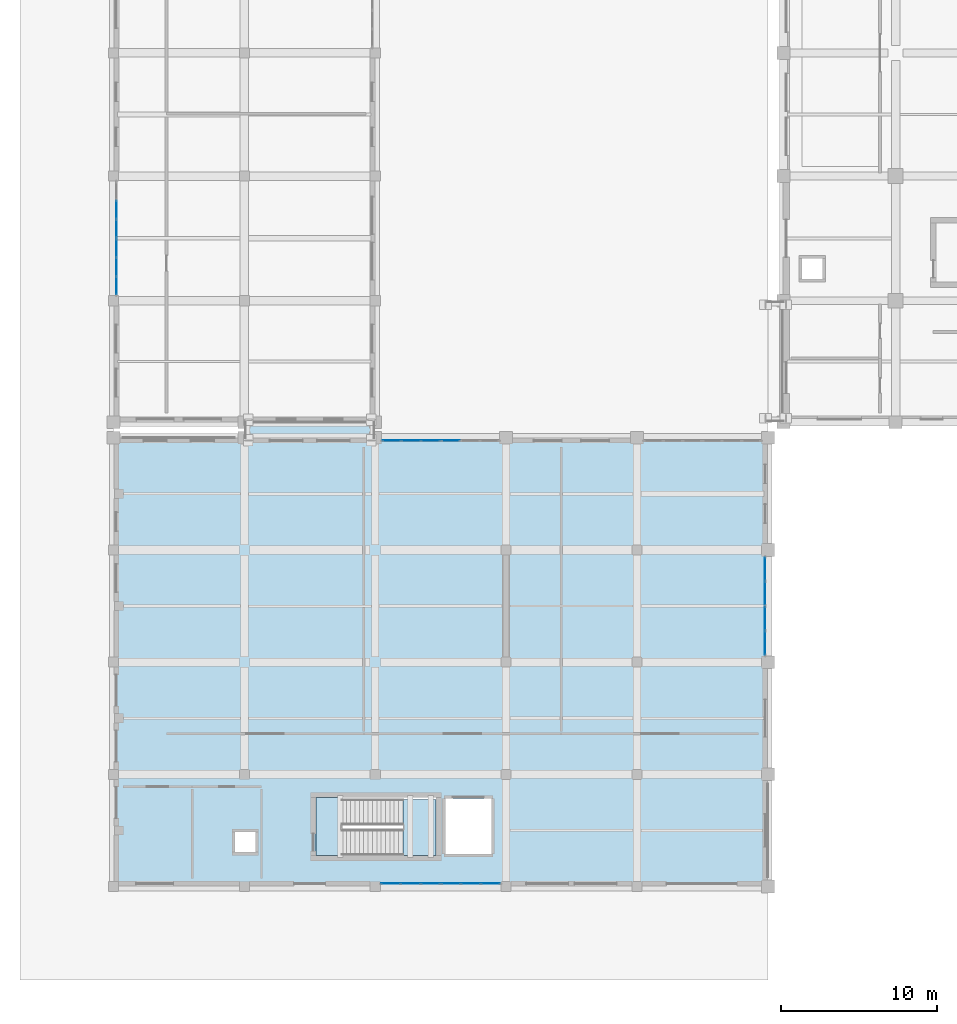
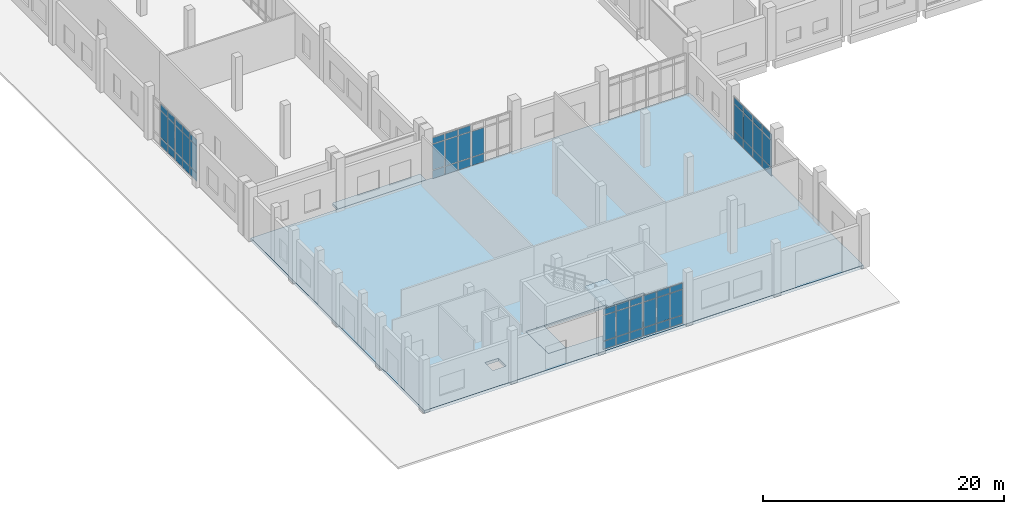
# One storey, part 39 of 79: 56 plates, 4 slabs, 9 elements without a shape of their own.
"""IFC4 building model written with IfcOpenShell, lengths in metres."""

from ifc_helpers import new_model, si_unit, direction, frame, origin, origin_2d, place, context, subcontext, project, spatial, polyline, rectangle, outline, extrude, material, layer, layer_set, type_object, element, aggregate, save


model = new_model("IFC4")

# Units and contexts
model_context = context("Model", 3, precision=1e-05, world=origin(), true_north=direction((0.0, 1.0)))
body_context = subcontext(model_context, "Body", "Model", "MODEL_VIEW")
ifc_project = project(units=[si_unit("LENGTHUNIT", "METRE"), si_unit("AREAUNIT", "SQUARE_METRE"), si_unit("VOLUMEUNIT", "CUBIC_METRE"), si_unit("PLANEANGLEUNIT", "RADIAN"), si_unit("MASSUNIT", "GRAM", prefix="KILO")], contexts=[model_context])

# Site, building, storey
site_placement = place(None, origin())
site = spatial("IfcSite", under=ifc_project, at=site_placement, CompositionType="ELEMENT")
building_placement = place(site_placement, origin())
building = spatial("IfcBuilding", under=site, at=building_placement, Name="Kelarvand Opera House", CompositionType="ELEMENT")
storey_placement = place(building_placement, origin())
storey = spatial("IfcBuildingStorey", under=building, at=storey_placement, Name="L00", CompositionType="ELEMENT", Elevation=0.0)

# Slab
ifc_material_1 = material(Name="Concrete C35/45", Category="concrete")
ifc_layer_1 = layer(ifc_material_1, 0.219970703125, Name="Concrete C35/45", Category="concrete")
ifc_layer_set_1 = layer_set([ifc_layer_1], Name="Concrete C35/45")
slab_type_1 = type_object("IfcSlabType", Name="Core Stair Entry Landing Slab 220", PredefinedType="LANDING", material=ifc_layer_set_1)
slab_1_placement = place(storey_placement, frame((0.0, 0.0, -0.219970703125)))
element("IfcSlab", 1, at=slab_1_placement, inside=storey, type_object=slab_type_1, Name="C6 Stair Entry Landing L00", PredefinedType="LANDING", context=body_context, shape_type="SweptSolid", body=[
    extrude(outline(polyline([(22.0, 11.0), (23.719970703125, 11.0), (23.719970703125, 14.699951171875), (22.0, 14.699951171875), (22.0, 11.0)])), origin(), (0.0, 0.0, 1.0), 0.219970703125),
])

# Curtain wall, plates
ifc_material_2 = material(Name="Thermally broken aluminium and low-E glazing", Category="aluminium")
ifc_layer_2 = layer(ifc_material_2, 0.179931640625, Name="Thermally broken aluminium and low-E glazing", Category="aluminium")
ifc_layer_set_2 = layer_set([ifc_layer_2], Name="Thermally broken aluminium and low-E glazing")
curtain_wall_type_1 = type_object("IfcCurtainWallType", Name="Unitised Low-E Curtain Wall 3776x4250 Mod 1350 CWF-23", PredefinedType="USERDEFINED", material=ifc_layer_set_2)
curtain_wall_1_placement = place(storey_placement, origin())
curtain_wall_1 = element("IfcCurtainWall", 2, at=curtain_wall_1_placement, inside=storey, type_object=curtain_wall_type_1, Name="V4 L00 Curtain Wall CWF-23 (107)", ObjectType="UNITISED CURTAIN WALL", PredefinedType="USERDEFINED")
ifc_material_3 = material(Name="Low-E laminated double glazing", Category="glass")
ifc_layer_3 = layer(ifc_material_3, 0.031982421875, Name="Low-E laminated double glazing", Category="glass")
ifc_layer_set_3 = layer_set([ifc_layer_3], Name="Low-E laminated double glazing")
plate_type = type_object("IfcPlateType", Name="Low-E Argon Double Glazed Curtain Panel 32mm", PredefinedType="CURTAIN_PANEL", material=ifc_layer_set_3)
plate_1_placement = place(storey_placement, frame((26.865478515625, 37.6201171875, 0.06494140625), z_axis=(0.0, 0.0, 1.0), x_axis=(1.0, 0.0, 0.0)))
plate_1 = element("IfcPlate", 3, at=plate_1_placement, type_object=plate_type, Name="CWF-23 panel 1.1", PredefinedType="CURTAIN_PANEL", context=body_context, shape_type="SweptSolid", body=[
    extrude(rectangle(XDim=1.1611328125, YDim=0.031982421875, at=origin_2d()), origin(), (0.0, 0.0, 1.0), 0.802490234375),
])
plate_2_placement = place(storey_placement, frame((26.865478515625, 37.6201171875, 0.9326171875), z_axis=(0.0, 0.0, 1.0), x_axis=(1.0, 0.0, 0.0)))
plate_2 = element("IfcPlate", 4, at=plate_2_placement, type_object=plate_type, Name="CWF-23 panel 1.2", PredefinedType="CURTAIN_PANEL", context=body_context, shape_type="SweptSolid", body=[
    extrude(rectangle(XDim=1.1611328125, YDim=0.031982421875, at=origin_2d()), origin(), (0.0, 0.0, 1.0), 2.5849609375),
])
plate_3_placement = place(storey_placement, frame((26.865478515625, 37.6201171875, 3.58251953125), z_axis=(0.0, 0.0, 1.0), x_axis=(1.0, 0.0, 0.0)))
plate_3 = element("IfcPlate", 5, at=plate_3_placement, type_object=plate_type, Name="CWF-23 panel 1.3", PredefinedType="CURTAIN_PANEL", context=body_context, shape_type="SweptSolid", body=[
    extrude(rectangle(XDim=1.1611328125, YDim=0.031982421875, at=origin_2d()), origin(), (0.0, 0.0, 1.0), 0.6025390625),
])
plate_4_placement = place(storey_placement, frame((28.10791015625, 37.6201171875, 0.06494140625), z_axis=(0.0, 0.0, 1.0), x_axis=(1.0, 0.0, 0.0)))
plate_4 = element("IfcPlate", 6, at=plate_4_placement, type_object=plate_type, Name="CWF-23 panel 2.1", PredefinedType="CURTAIN_PANEL", context=body_context, shape_type="SweptSolid", body=[
    extrude(rectangle(XDim=1.193603515625, YDim=0.031982421875, at=origin_2d()), origin(), (0.0, 0.0, 1.0), 0.802490234375),
])
plate_5_placement = place(storey_placement, frame((28.10791015625, 37.6201171875, 0.9326171875), z_axis=(0.0, 0.0, 1.0), x_axis=(1.0, 0.0, 0.0)))
plate_5 = element("IfcPlate", 7, at=plate_5_placement, type_object=plate_type, Name="CWF-23 panel 2.2", PredefinedType="CURTAIN_PANEL", context=body_context, shape_type="SweptSolid", body=[
    extrude(rectangle(XDim=1.193603515625, YDim=0.031982421875, at=origin_2d()), origin(), (0.0, 0.0, 1.0), 2.5849609375),
])
plate_6_placement = place(storey_placement, frame((28.10791015625, 37.6201171875, 3.58251953125), z_axis=(0.0, 0.0, 1.0), x_axis=(1.0, 0.0, 0.0)))
plate_6 = element("IfcPlate", 8, at=plate_6_placement, type_object=plate_type, Name="CWF-23 panel 2.3", PredefinedType="CURTAIN_PANEL", context=body_context, shape_type="SweptSolid", body=[
    extrude(rectangle(XDim=1.193603515625, YDim=0.031982421875, at=origin_2d()), origin(), (0.0, 0.0, 1.0), 0.6025390625),
])
plate_7_placement = place(storey_placement, frame((29.350341796875, 37.6201171875, 0.06494140625), z_axis=(0.0, 0.0, 1.0), x_axis=(1.0, 0.0, 0.0)))
plate_7 = element("IfcPlate", 9, at=plate_7_placement, type_object=plate_type, Name="CWF-23 panel 3.1", PredefinedType="CURTAIN_PANEL", context=body_context, shape_type="SweptSolid", body=[
    extrude(rectangle(XDim=1.1611328125, YDim=0.031982421875, at=origin_2d()), origin(), (0.0, 0.0, 1.0), 0.802490234375),
])
plate_8_placement = place(storey_placement, frame((29.350341796875, 37.6201171875, 0.9326171875), z_axis=(0.0, 0.0, 1.0), x_axis=(1.0, 0.0, 0.0)))
plate_8 = element("IfcPlate", 10, at=plate_8_placement, type_object=plate_type, Name="CWF-23 panel 3.2", PredefinedType="CURTAIN_PANEL", context=body_context, shape_type="SweptSolid", body=[
    extrude(rectangle(XDim=1.1611328125, YDim=0.031982421875, at=origin_2d()), origin(), (0.0, 0.0, 1.0), 2.5849609375),
])
plate_9_placement = place(storey_placement, frame((29.350341796875, 37.6201171875, 3.58251953125), z_axis=(0.0, 0.0, 1.0), x_axis=(1.0, 0.0, 0.0)))
plate_9 = element("IfcPlate", 11, at=plate_9_placement, type_object=plate_type, Name="CWF-23 panel 3.3", PredefinedType="CURTAIN_PANEL", context=body_context, shape_type="SweptSolid", body=[
    extrude(rectangle(XDim=1.1611328125, YDim=0.031982421875, at=origin_2d()), origin(), (0.0, 0.0, 1.0), 0.6025390625),
])
aggregate(curtain_wall_1, [plate_1, plate_2, plate_3, plate_4, plate_5, plate_6, plate_7, plate_8, plate_9])

curtain_wall_2_placement = place(storey_placement, origin())
curtain_wall_2 = element("IfcCurtainWall", 12, at=curtain_wall_2_placement, inside=storey, type_object=curtain_wall_type_1, Name="V4 L00 Curtain Wall CWF-23 (108)", ObjectType="UNITISED CURTAIN WALL", PredefinedType="USERDEFINED")
plate_10_placement = place(storey_placement, frame((30.646240234375, 37.6201171875, 0.06494140625), z_axis=(0.0, 0.0, 1.0), x_axis=(1.0, 0.0, 0.0)))
plate_10 = element("IfcPlate", 13, at=plate_10_placement, type_object=plate_type, Name="CWF-23 panel 1.1", PredefinedType="CURTAIN_PANEL", context=body_context, shape_type="SweptSolid", body=[
    extrude(rectangle(XDim=1.16259765625, YDim=0.031982421875, at=origin_2d()), origin(), (0.0, 0.0, 1.0), 0.802490234375),
])
plate_11_placement = place(storey_placement, frame((30.646240234375, 37.6201171875, 0.9326171875), z_axis=(0.0, 0.0, 1.0), x_axis=(1.0, 0.0, 0.0)))
plate_11 = element("IfcPlate", 14, at=plate_11_placement, type_object=plate_type, Name="CWF-23 panel 1.2", PredefinedType="CURTAIN_PANEL", context=body_context, shape_type="SweptSolid", body=[
    extrude(rectangle(XDim=1.16259765625, YDim=0.031982421875, at=origin_2d()), origin(), (0.0, 0.0, 1.0), 2.5849609375),
])
aggregate(curtain_wall_2, [plate_10, plate_11])

ifc_layer_4 = layer(ifc_material_2, 0.179931640625, Name="Thermally broken aluminium and low-E glazing", Category="aluminium")
ifc_layer_set_4 = layer_set([ifc_layer_4], Name="Thermally broken aluminium and low-E glazing")
curtain_wall_type_2 = type_object("IfcCurtainWallType", Name="Unitised Low-E Curtain Wall 3176x4350 Mod 1350 CWF-09", PredefinedType="USERDEFINED", material=ifc_layer_set_4)
curtain_wall_3_placement = place(storey_placement, origin())
curtain_wall_3 = element("IfcCurtainWall", 15, at=curtain_wall_3_placement, inside=storey, type_object=curtain_wall_type_2, Name="V4 L00 Curtain Wall CWF-09 (111)", ObjectType="UNITISED CURTAIN WALL", PredefinedType="USERDEFINED")
plate_12_placement = place(storey_placement, frame((50.820068359375, 29.36962890625, 0.06494140625), z_axis=(0.0, 0.0, 1.0), x_axis=(0.0, -1.0, 0.0)))
plate_12 = element("IfcPlate", 16, at=plate_12_placement, type_object=plate_type, Name="CWF-09 panel 1.1", PredefinedType="CURTAIN_PANEL", context=body_context, shape_type="SweptSolid", body=[
    extrude(rectangle(XDim=1.490478515625, YDim=0.031982421875, at=origin_2d()), origin(), (0.0, 0.0, 1.0), 0.802490234375),
])
plate_13_placement = place(storey_placement, frame((50.820068359375, 29.36962890625, 0.932373046875), z_axis=(0.0, 0.0, 1.0), x_axis=(0.0, -1.0, 0.0)))
plate_13 = element("IfcPlate", 17, at=plate_13_placement, type_object=plate_type, Name="CWF-09 panel 1.2", PredefinedType="CURTAIN_PANEL", context=body_context, shape_type="SweptSolid", body=[
    extrude(rectangle(XDim=1.490478515625, YDim=0.031982421875, at=origin_2d()), origin(), (0.0, 0.0, 1.0), 2.68505859375),
])
plate_14_placement = place(storey_placement, frame((50.820068359375, 29.36962890625, 3.682373046875), z_axis=(0.0, 0.0, 1.0), x_axis=(0.0, -1.0, 0.0)))
plate_14 = element("IfcPlate", 18, at=plate_14_placement, type_object=plate_type, Name="CWF-09 panel 1.3", PredefinedType="CURTAIN_PANEL", context=body_context, shape_type="SweptSolid", body=[
    extrude(rectangle(XDim=1.490478515625, YDim=0.031982421875, at=origin_2d()), origin(), (0.0, 0.0, 1.0), 0.6025390625),
])
plate_15_placement = place(storey_placement, frame((50.820068359375, 27.814208984375, 0.06494140625), z_axis=(0.0, 0.0, 1.0), x_axis=(0.0, -1.0, 0.0)))
plate_15 = element("IfcPlate", 19, at=plate_15_placement, type_object=plate_type, Name="CWF-09 panel 2.1", PredefinedType="CURTAIN_PANEL", context=body_context, shape_type="SweptSolid", body=[
    extrude(rectangle(XDim=1.490478515625, YDim=0.031982421875, at=origin_2d()), origin(), (0.0, 0.0, 1.0), 0.802490234375),
])
plate_16_placement = place(storey_placement, frame((50.820068359375, 27.814208984375, 0.932373046875), z_axis=(0.0, 0.0, 1.0), x_axis=(0.0, -1.0, 0.0)))
plate_16 = element("IfcPlate", 20, at=plate_16_placement, type_object=plate_type, Name="CWF-09 panel 2.2", PredefinedType="CURTAIN_PANEL", context=body_context, shape_type="SweptSolid", body=[
    extrude(rectangle(XDim=1.490478515625, YDim=0.031982421875, at=origin_2d()), origin(), (0.0, 0.0, 1.0), 2.68505859375),
])
plate_17_placement = place(storey_placement, frame((50.820068359375, 27.814208984375, 3.682373046875), z_axis=(0.0, 0.0, 1.0), x_axis=(0.0, -1.0, 0.0)))
plate_17 = element("IfcPlate", 21, at=plate_17_placement, type_object=plate_type, Name="CWF-09 panel 2.3", PredefinedType="CURTAIN_PANEL", context=body_context, shape_type="SweptSolid", body=[
    extrude(rectangle(XDim=1.490478515625, YDim=0.031982421875, at=origin_2d()), origin(), (0.0, 0.0, 1.0), 0.6025390625),
])
aggregate(curtain_wall_3, [plate_12, plate_13, plate_14, plate_15, plate_16, plate_17])

curtain_wall_4_placement = place(storey_placement, origin())
curtain_wall_4 = element("IfcCurtainWall", 22, at=curtain_wall_4_placement, inside=storey, type_object=curtain_wall_type_2, Name="V4 L00 Curtain Wall CWF-09 (112)", ObjectType="UNITISED CURTAIN WALL", PredefinedType="USERDEFINED")
plate_18_placement = place(storey_placement, frame((50.820068359375, 26.188720703125, 0.06494140625), z_axis=(0.0, 0.0, 1.0), x_axis=(0.0, -1.0, 0.0)))
plate_18 = element("IfcPlate", 23, at=plate_18_placement, type_object=plate_type, Name="CWF-09 panel 1.1", PredefinedType="CURTAIN_PANEL", context=body_context, shape_type="SweptSolid", body=[
    extrude(rectangle(XDim=1.492431640625, YDim=0.031982421875, at=origin_2d()), origin(), (0.0, 0.0, 1.0), 0.802490234375),
])
plate_19_placement = place(storey_placement, frame((50.820068359375, 26.188720703125, 0.932373046875), z_axis=(0.0, 0.0, 1.0), x_axis=(0.0, -1.0, 0.0)))
plate_19 = element("IfcPlate", 24, at=plate_19_placement, type_object=plate_type, Name="CWF-09 panel 1.2", PredefinedType="CURTAIN_PANEL", context=body_context, shape_type="SweptSolid", body=[
    extrude(rectangle(XDim=1.492431640625, YDim=0.031982421875, at=origin_2d()), origin(), (0.0, 0.0, 1.0), 2.68505859375),
])
plate_20_placement = place(storey_placement, frame((50.820068359375, 26.188720703125, 3.682373046875), z_axis=(0.0, 0.0, 1.0), x_axis=(0.0, -1.0, 0.0)))
plate_20 = element("IfcPlate", 25, at=plate_20_placement, type_object=plate_type, Name="CWF-09 panel 1.3", PredefinedType="CURTAIN_PANEL", context=body_context, shape_type="SweptSolid", body=[
    extrude(rectangle(XDim=1.492431640625, YDim=0.031982421875, at=origin_2d()), origin(), (0.0, 0.0, 1.0), 0.6025390625),
])
plate_21_placement = place(storey_placement, frame((50.820068359375, 24.63134765625, 0.06494140625), z_axis=(0.0, 0.0, 1.0), x_axis=(0.0, -1.0, 0.0)))
plate_21 = element("IfcPlate", 26, at=plate_21_placement, type_object=plate_type, Name="CWF-09 panel 2.1", PredefinedType="CURTAIN_PANEL", context=body_context, shape_type="SweptSolid", body=[
    extrude(rectangle(XDim=1.492431640625, YDim=0.031982421875, at=origin_2d()), origin(), (0.0, 0.0, 1.0), 0.802490234375),
])
plate_22_placement = place(storey_placement, frame((50.820068359375, 24.63134765625, 0.932373046875), z_axis=(0.0, 0.0, 1.0), x_axis=(0.0, -1.0, 0.0)))
plate_22 = element("IfcPlate", 27, at=plate_22_placement, type_object=plate_type, Name="CWF-09 panel 2.2", PredefinedType="CURTAIN_PANEL", context=body_context, shape_type="SweptSolid", body=[
    extrude(rectangle(XDim=1.492431640625, YDim=0.031982421875, at=origin_2d()), origin(), (0.0, 0.0, 1.0), 2.68505859375),
])
plate_23_placement = place(storey_placement, frame((50.820068359375, 24.63134765625, 3.682373046875), z_axis=(0.0, 0.0, 1.0), x_axis=(0.0, -1.0, 0.0)))
plate_23 = element("IfcPlate", 28, at=plate_23_placement, type_object=plate_type, Name="CWF-09 panel 2.3", PredefinedType="CURTAIN_PANEL", context=body_context, shape_type="SweptSolid", body=[
    extrude(rectangle(XDim=1.492431640625, YDim=0.031982421875, at=origin_2d()), origin(), (0.0, 0.0, 1.0), 0.6025390625),
])
aggregate(curtain_wall_4, [plate_18, plate_19, plate_20, plate_21, plate_22, plate_23])

ifc_layer_5 = layer(ifc_material_2, 0.179931640625, Name="Thermally broken aluminium and low-E glazing", Category="aluminium")
ifc_layer_set_5 = layer_set([ifc_layer_5], Name="Thermally broken aluminium and low-E glazing")
curtain_wall_type_3 = type_object("IfcCurtainWallType", Name="Unitised Low-E Curtain Wall 3861x4200 Mod 1350 CWF-12", PredefinedType="USERDEFINED", material=ifc_layer_set_5)
curtain_wall_5_placement = place(storey_placement, origin())
curtain_wall_5 = element("IfcCurtainWall", 29, at=curtain_wall_5_placement, inside=storey, type_object=curtain_wall_type_3, Name="V4 L00 Curtain Wall CWF-12 (113)", ObjectType="UNITISED CURTAIN WALL", PredefinedType="USERDEFINED")
plate_24_placement = place(storey_placement, frame((33.205322265625, 9.179931640625, 0.06494140625), z_axis=(0.0, 0.0, 1.0), x_axis=(-1.0, 0.0, 0.0)))
plate_24 = element("IfcPlate", 30, at=plate_24_placement, type_object=plate_type, Name="CWF-12 panel 1.1", PredefinedType="CURTAIN_PANEL", context=body_context, shape_type="SweptSolid", body=[
    extrude(rectangle(XDim=1.189453125, YDim=0.031982421875, at=origin_2d()), origin(), (0.0, 0.0, 1.0), 0.802490234375),
])
plate_25_placement = place(storey_placement, frame((33.205322265625, 9.179931640625, 0.9326171875), z_axis=(0.0, 0.0, 1.0), x_axis=(-1.0, 0.0, 0.0)))
plate_25 = element("IfcPlate", 31, at=plate_25_placement, type_object=plate_type, Name="CWF-12 panel 1.2", PredefinedType="CURTAIN_PANEL", context=body_context, shape_type="SweptSolid", body=[
    extrude(rectangle(XDim=1.189453125, YDim=0.031982421875, at=origin_2d()), origin(), (0.0, 0.0, 1.0), 2.534912109375),
])
plate_26_placement = place(storey_placement, frame((33.205322265625, 9.179931640625, 3.532470703125), z_axis=(0.0, 0.0, 1.0), x_axis=(-1.0, 0.0, 0.0)))
plate_26 = element("IfcPlate", 32, at=plate_26_placement, type_object=plate_type, Name="CWF-12 panel 1.3", PredefinedType="CURTAIN_PANEL", context=body_context, shape_type="SweptSolid", body=[
    extrude(rectangle(XDim=1.189453125, YDim=0.031982421875, at=origin_2d()), origin(), (0.0, 0.0, 1.0), 0.6025390625),
])
plate_27_placement = place(storey_placement, frame((31.9345703125, 9.179931640625, 0.06494140625), z_axis=(0.0, 0.0, 1.0), x_axis=(-1.0, 0.0, 0.0)))
plate_27 = element("IfcPlate", 33, at=plate_27_placement, type_object=plate_type, Name="CWF-12 panel 2.1", PredefinedType="CURTAIN_PANEL", context=body_context, shape_type="SweptSolid", body=[
    extrude(rectangle(XDim=1.221923828125, YDim=0.031982421875, at=origin_2d()), origin(), (0.0, 0.0, 1.0), 0.802490234375),
])
plate_28_placement = place(storey_placement, frame((31.9345703125, 9.179931640625, 0.9326171875), z_axis=(0.0, 0.0, 1.0), x_axis=(-1.0, 0.0, 0.0)))
plate_28 = element("IfcPlate", 34, at=plate_28_placement, type_object=plate_type, Name="CWF-12 panel 2.2", PredefinedType="CURTAIN_PANEL", context=body_context, shape_type="SweptSolid", body=[
    extrude(rectangle(XDim=1.221923828125, YDim=0.031982421875, at=origin_2d()), origin(), (0.0, 0.0, 1.0), 2.534912109375),
])
plate_29_placement = place(storey_placement, frame((31.9345703125, 9.179931640625, 3.532470703125), z_axis=(0.0, 0.0, 1.0), x_axis=(-1.0, 0.0, 0.0)))
plate_29 = element("IfcPlate", 35, at=plate_29_placement, type_object=plate_type, Name="CWF-12 panel 2.3", PredefinedType="CURTAIN_PANEL", context=body_context, shape_type="SweptSolid", body=[
    extrude(rectangle(XDim=1.221923828125, YDim=0.031982421875, at=origin_2d()), origin(), (0.0, 0.0, 1.0), 0.6025390625),
])
plate_30_placement = place(storey_placement, frame((30.663818359375, 9.179931640625, 0.06494140625), z_axis=(0.0, 0.0, 1.0), x_axis=(-1.0, 0.0, 0.0)))
plate_30 = element("IfcPlate", 36, at=plate_30_placement, type_object=plate_type, Name="CWF-12 panel 3.1", PredefinedType="CURTAIN_PANEL", context=body_context, shape_type="SweptSolid", body=[
    extrude(rectangle(XDim=1.189453125, YDim=0.031982421875, at=origin_2d()), origin(), (0.0, 0.0, 1.0), 0.802490234375),
])
plate_31_placement = place(storey_placement, frame((30.663818359375, 9.179931640625, 0.9326171875), z_axis=(0.0, 0.0, 1.0), x_axis=(-1.0, 0.0, 0.0)))
plate_31 = element("IfcPlate", 37, at=plate_31_placement, type_object=plate_type, Name="CWF-12 panel 3.2", PredefinedType="CURTAIN_PANEL", context=body_context, shape_type="SweptSolid", body=[
    extrude(rectangle(XDim=1.189453125, YDim=0.031982421875, at=origin_2d()), origin(), (0.0, 0.0, 1.0), 2.534912109375),
])
plate_32_placement = place(storey_placement, frame((30.663818359375, 9.179931640625, 3.532470703125), z_axis=(0.0, 0.0, 1.0), x_axis=(-1.0, 0.0, 0.0)))
plate_32 = element("IfcPlate", 38, at=plate_32_placement, type_object=plate_type, Name="CWF-12 panel 3.3", PredefinedType="CURTAIN_PANEL", context=body_context, shape_type="SweptSolid", body=[
    extrude(rectangle(XDim=1.189453125, YDim=0.031982421875, at=origin_2d()), origin(), (0.0, 0.0, 1.0), 0.6025390625),
])
aggregate(curtain_wall_5, [plate_24, plate_25, plate_26, plate_27, plate_28, plate_29, plate_30, plate_31, plate_32])

curtain_wall_6_placement = place(storey_placement, origin())
curtain_wall_6 = element("IfcCurtainWall", 39, at=curtain_wall_6_placement, inside=storey, type_object=curtain_wall_type_3, Name="V4 L00 Curtain Wall CWF-12 (114)", ObjectType="UNITISED CURTAIN WALL", PredefinedType="USERDEFINED")
plate_33_placement = place(storey_placement, frame((29.339599609375, 9.179931640625, 0.06494140625), z_axis=(0.0, 0.0, 1.0), x_axis=(-1.0, 0.0, 0.0)))
plate_33 = element("IfcPlate", 40, at=plate_33_placement, type_object=plate_type, Name="CWF-12 panel 1.1", PredefinedType="CURTAIN_PANEL", context=body_context, shape_type="SweptSolid", body=[
    extrude(rectangle(XDim=1.19091796875, YDim=0.031982421875, at=origin_2d()), origin(), (0.0, 0.0, 1.0), 0.802490234375),
])
plate_34_placement = place(storey_placement, frame((29.339599609375, 9.179931640625, 0.9326171875), z_axis=(0.0, 0.0, 1.0), x_axis=(-1.0, 0.0, 0.0)))
plate_34 = element("IfcPlate", 41, at=plate_34_placement, type_object=plate_type, Name="CWF-12 panel 1.2", PredefinedType="CURTAIN_PANEL", context=body_context, shape_type="SweptSolid", body=[
    extrude(rectangle(XDim=1.19091796875, YDim=0.031982421875, at=origin_2d()), origin(), (0.0, 0.0, 1.0), 2.534912109375),
])
plate_35_placement = place(storey_placement, frame((29.339599609375, 9.179931640625, 3.532470703125), z_axis=(0.0, 0.0, 1.0), x_axis=(-1.0, 0.0, 0.0)))
plate_35 = element("IfcPlate", 42, at=plate_35_placement, type_object=plate_type, Name="CWF-12 panel 1.3", PredefinedType="CURTAIN_PANEL", context=body_context, shape_type="SweptSolid", body=[
    extrude(rectangle(XDim=1.19091796875, YDim=0.031982421875, at=origin_2d()), origin(), (0.0, 0.0, 1.0), 0.6025390625),
])
plate_36_placement = place(storey_placement, frame((28.0673828125, 9.179931640625, 0.06494140625), z_axis=(0.0, 0.0, 1.0), x_axis=(-1.0, 0.0, 0.0)))
plate_36 = element("IfcPlate", 43, at=plate_36_placement, type_object=plate_type, Name="CWF-12 panel 2.1", PredefinedType="CURTAIN_PANEL", context=body_context, shape_type="SweptSolid", body=[
    extrude(rectangle(XDim=1.223388671875, YDim=0.031982421875, at=origin_2d()), origin(), (0.0, 0.0, 1.0), 0.802490234375),
])
plate_37_placement = place(storey_placement, frame((28.0673828125, 9.179931640625, 0.9326171875), z_axis=(0.0, 0.0, 1.0), x_axis=(-1.0, 0.0, 0.0)))
plate_37 = element("IfcPlate", 44, at=plate_37_placement, type_object=plate_type, Name="CWF-12 panel 2.2", PredefinedType="CURTAIN_PANEL", context=body_context, shape_type="SweptSolid", body=[
    extrude(rectangle(XDim=1.223388671875, YDim=0.031982421875, at=origin_2d()), origin(), (0.0, 0.0, 1.0), 2.534912109375),
])
plate_38_placement = place(storey_placement, frame((28.0673828125, 9.179931640625, 3.532470703125), z_axis=(0.0, 0.0, 1.0), x_axis=(-1.0, 0.0, 0.0)))
plate_38 = element("IfcPlate", 45, at=plate_38_placement, type_object=plate_type, Name="CWF-12 panel 2.3", PredefinedType="CURTAIN_PANEL", context=body_context, shape_type="SweptSolid", body=[
    extrude(rectangle(XDim=1.223388671875, YDim=0.031982421875, at=origin_2d()), origin(), (0.0, 0.0, 1.0), 0.6025390625),
])
plate_39_placement = place(storey_placement, frame((26.79541015625, 9.179931640625, 0.06494140625), z_axis=(0.0, 0.0, 1.0), x_axis=(-1.0, 0.0, 0.0)))
plate_39 = element("IfcPlate", 46, at=plate_39_placement, type_object=plate_type, Name="CWF-12 panel 3.1", PredefinedType="CURTAIN_PANEL", context=body_context, shape_type="SweptSolid", body=[
    extrude(rectangle(XDim=1.19091796875, YDim=0.031982421875, at=origin_2d()), origin(), (0.0, 0.0, 1.0), 0.802490234375),
])
plate_40_placement = place(storey_placement, frame((26.79541015625, 9.179931640625, 0.9326171875), z_axis=(0.0, 0.0, 1.0), x_axis=(-1.0, 0.0, 0.0)))
plate_40 = element("IfcPlate", 47, at=plate_40_placement, type_object=plate_type, Name="CWF-12 panel 3.2", PredefinedType="CURTAIN_PANEL", context=body_context, shape_type="SweptSolid", body=[
    extrude(rectangle(XDim=1.19091796875, YDim=0.031982421875, at=origin_2d()), origin(), (0.0, 0.0, 1.0), 2.534912109375),
])
plate_41_placement = place(storey_placement, frame((26.79541015625, 9.179931640625, 3.532470703125), z_axis=(0.0, 0.0, 1.0), x_axis=(-1.0, 0.0, 0.0)))
plate_41 = element("IfcPlate", 48, at=plate_41_placement, type_object=plate_type, Name="CWF-12 panel 3.3", PredefinedType="CURTAIN_PANEL", context=body_context, shape_type="SweptSolid", body=[
    extrude(rectangle(XDim=1.19091796875, YDim=0.031982421875, at=origin_2d()), origin(), (0.0, 0.0, 1.0), 0.6025390625),
])
aggregate(curtain_wall_6, [plate_33, plate_34, plate_35, plate_36, plate_37, plate_38, plate_39, plate_40, plate_41])

ifc_layer_6 = layer(ifc_material_2, 0.179931640625, Name="Thermally broken aluminium and low-E glazing", Category="aluminium")
ifc_layer_set_6 = layer_set([ifc_layer_6], Name="Thermally broken aluminium and low-E glazing")
curtain_wall_type_4 = type_object("IfcCurtainWallType", Name="Unitised Low-E Curtain Wall 3661x4350 Mod 1350 CWF-24", PredefinedType="USERDEFINED", material=ifc_layer_set_6)
curtain_wall_7_placement = place(storey_placement, origin())
curtain_wall_7 = element("IfcCurtainWall", 49, at=curtain_wall_7_placement, inside=storey, type_object=curtain_wall_type_4, Name="V4 L00 Curtain Wall CWF-24 (115)", ObjectType="UNITISED CURTAIN WALL", PredefinedType="USERDEFINED")
plate_42_placement = place(storey_placement, frame((9.179931640625, 47.5615234375, 0.06494140625), z_axis=(0.0, 0.0, 1.0), x_axis=(0.0, 1.0, 0.0)))
plate_42 = element("IfcPlate", 50, at=plate_42_placement, type_object=plate_type, Name="CWF-24 panel 1.1", PredefinedType="CURTAIN_PANEL", context=body_context, shape_type="SweptSolid", body=[
    extrude(rectangle(XDim=1.122802734375, YDim=0.031982421875, at=origin_2d()), origin(), (0.0, 0.0, 1.0), 0.802490234375),
])
plate_43_placement = place(storey_placement, frame((9.179931640625, 47.5615234375, 0.932373046875), z_axis=(0.0, 0.0, 1.0), x_axis=(0.0, 1.0, 0.0)))
plate_43 = element("IfcPlate", 51, at=plate_43_placement, type_object=plate_type, Name="CWF-24 panel 1.2", PredefinedType="CURTAIN_PANEL", context=body_context, shape_type="SweptSolid", body=[
    extrude(rectangle(XDim=1.122802734375, YDim=0.031982421875, at=origin_2d()), origin(), (0.0, 0.0, 1.0), 2.68505859375),
])
plate_44_placement = place(storey_placement, frame((9.179931640625, 47.5615234375, 3.682373046875), z_axis=(0.0, 0.0, 1.0), x_axis=(0.0, 1.0, 0.0)))
plate_44 = element("IfcPlate", 52, at=plate_44_placement, type_object=plate_type, Name="CWF-24 panel 1.3", PredefinedType="CURTAIN_PANEL", context=body_context, shape_type="SweptSolid", body=[
    extrude(rectangle(XDim=1.122802734375, YDim=0.031982421875, at=origin_2d()), origin(), (0.0, 0.0, 1.0), 0.6025390625),
])
plate_45_placement = place(storey_placement, frame((9.179931640625, 48.765380859375, 0.06494140625), z_axis=(0.0, 0.0, 1.0), x_axis=(0.0, 1.0, 0.0)))
plate_45 = element("IfcPlate", 53, at=plate_45_placement, type_object=plate_type, Name="CWF-24 panel 2.1", PredefinedType="CURTAIN_PANEL", context=body_context, shape_type="SweptSolid", body=[
    extrude(rectangle(XDim=1.1552734375, YDim=0.031982421875, at=origin_2d()), origin(), (0.0, 0.0, 1.0), 0.802490234375),
])
plate_46_placement = place(storey_placement, frame((9.179931640625, 48.765380859375, 0.932373046875), z_axis=(0.0, 0.0, 1.0), x_axis=(0.0, 1.0, 0.0)))
plate_46 = element("IfcPlate", 54, at=plate_46_placement, type_object=plate_type, Name="CWF-24 panel 2.2", PredefinedType="CURTAIN_PANEL", context=body_context, shape_type="SweptSolid", body=[
    extrude(rectangle(XDim=1.1552734375, YDim=0.031982421875, at=origin_2d()), origin(), (0.0, 0.0, 1.0), 2.68505859375),
])
plate_47_placement = place(storey_placement, frame((9.179931640625, 48.765380859375, 3.682373046875), z_axis=(0.0, 0.0, 1.0), x_axis=(0.0, 1.0, 0.0)))
plate_47 = element("IfcPlate", 55, at=plate_47_placement, type_object=plate_type, Name="CWF-24 panel 2.3", PredefinedType="CURTAIN_PANEL", context=body_context, shape_type="SweptSolid", body=[
    extrude(rectangle(XDim=1.1552734375, YDim=0.031982421875, at=origin_2d()), origin(), (0.0, 0.0, 1.0), 0.6025390625),
])
plate_48_placement = place(storey_placement, frame((9.179931640625, 49.969482421875, 0.06494140625), z_axis=(0.0, 0.0, 1.0), x_axis=(0.0, 1.0, 0.0)))
plate_48 = element("IfcPlate", 56, at=plate_48_placement, type_object=plate_type, Name="CWF-24 panel 3.1", PredefinedType="CURTAIN_PANEL", context=body_context, shape_type="SweptSolid", body=[
    extrude(rectangle(XDim=1.122802734375, YDim=0.031982421875, at=origin_2d()), origin(), (0.0, 0.0, 1.0), 0.802490234375),
])
plate_49_placement = place(storey_placement, frame((9.179931640625, 49.969482421875, 0.932373046875), z_axis=(0.0, 0.0, 1.0), x_axis=(0.0, 1.0, 0.0)))
plate_49 = element("IfcPlate", 57, at=plate_49_placement, type_object=plate_type, Name="CWF-24 panel 3.2", PredefinedType="CURTAIN_PANEL", context=body_context, shape_type="SweptSolid", body=[
    extrude(rectangle(XDim=1.122802734375, YDim=0.031982421875, at=origin_2d()), origin(), (0.0, 0.0, 1.0), 2.68505859375),
])
plate_50_placement = place(storey_placement, frame((9.179931640625, 49.969482421875, 3.682373046875), z_axis=(0.0, 0.0, 1.0), x_axis=(0.0, 1.0, 0.0)))
plate_50 = element("IfcPlate", 58, at=plate_50_placement, type_object=plate_type, Name="CWF-24 panel 3.3", PredefinedType="CURTAIN_PANEL", context=body_context, shape_type="SweptSolid", body=[
    extrude(rectangle(XDim=1.122802734375, YDim=0.031982421875, at=origin_2d()), origin(), (0.0, 0.0, 1.0), 0.6025390625),
])
aggregate(curtain_wall_7, [plate_42, plate_43, plate_44, plate_45, plate_46, plate_47, plate_48, plate_49, plate_50])

curtain_wall_8_placement = place(storey_placement, origin())
curtain_wall_8 = element("IfcCurtainWall", 59, at=curtain_wall_8_placement, inside=storey, type_object=curtain_wall_type_4, Name="V4 L00 Curtain Wall CWF-24 (116)", ObjectType="UNITISED CURTAIN WALL", PredefinedType="USERDEFINED")
plate_51_placement = place(storey_placement, frame((9.179931640625, 51.22705078125, 0.06494140625), z_axis=(0.0, 0.0, 1.0), x_axis=(0.0, 1.0, 0.0)))
plate_51 = element("IfcPlate", 60, at=plate_51_placement, type_object=plate_type, Name="CWF-24 panel 1.1", PredefinedType="CURTAIN_PANEL", context=body_context, shape_type="SweptSolid", body=[
    extrude(rectangle(XDim=1.124267578125, YDim=0.031982421875, at=origin_2d()), origin(), (0.0, 0.0, 1.0), 0.802490234375),
])
plate_52_placement = place(storey_placement, frame((9.179931640625, 51.22705078125, 0.932373046875), z_axis=(0.0, 0.0, 1.0), x_axis=(0.0, 1.0, 0.0)))
plate_52 = element("IfcPlate", 61, at=plate_52_placement, type_object=plate_type, Name="CWF-24 panel 1.2", PredefinedType="CURTAIN_PANEL", context=body_context, shape_type="SweptSolid", body=[
    extrude(rectangle(XDim=1.124267578125, YDim=0.031982421875, at=origin_2d()), origin(), (0.0, 0.0, 1.0), 2.68505859375),
])
plate_53_placement = place(storey_placement, frame((9.179931640625, 51.22705078125, 3.682373046875), z_axis=(0.0, 0.0, 1.0), x_axis=(0.0, 1.0, 0.0)))
plate_53 = element("IfcPlate", 62, at=plate_53_placement, type_object=plate_type, Name="CWF-24 panel 1.3", PredefinedType="CURTAIN_PANEL", context=body_context, shape_type="SweptSolid", body=[
    extrude(rectangle(XDim=1.124267578125, YDim=0.031982421875, at=origin_2d()), origin(), (0.0, 0.0, 1.0), 0.6025390625),
])
plate_54_placement = place(storey_placement, frame((9.179931640625, 52.4326171875, 0.06494140625), z_axis=(0.0, 0.0, 1.0), x_axis=(0.0, 1.0, 0.0)))
plate_54 = element("IfcPlate", 63, at=plate_54_placement, type_object=plate_type, Name="CWF-24 panel 2.1", PredefinedType="CURTAIN_PANEL", context=body_context, shape_type="SweptSolid", body=[
    extrude(rectangle(XDim=1.15673828125, YDim=0.031982421875, at=origin_2d()), origin(), (0.0, 0.0, 1.0), 0.802490234375),
])
plate_55_placement = place(storey_placement, frame((9.179931640625, 52.4326171875, 0.932373046875), z_axis=(0.0, 0.0, 1.0), x_axis=(0.0, 1.0, 0.0)))
plate_55 = element("IfcPlate", 64, at=plate_55_placement, type_object=plate_type, Name="CWF-24 panel 2.2", PredefinedType="CURTAIN_PANEL", context=body_context, shape_type="SweptSolid", body=[
    extrude(rectangle(XDim=1.15673828125, YDim=0.031982421875, at=origin_2d()), origin(), (0.0, 0.0, 1.0), 2.68505859375),
])
plate_56_placement = place(storey_placement, frame((9.179931640625, 52.4326171875, 3.682373046875), z_axis=(0.0, 0.0, 1.0), x_axis=(0.0, 1.0, 0.0)))
plate_56 = element("IfcPlate", 65, at=plate_56_placement, type_object=plate_type, Name="CWF-24 panel 2.3", PredefinedType="CURTAIN_PANEL", context=body_context, shape_type="SweptSolid", body=[
    extrude(rectangle(XDim=1.15673828125, YDim=0.031982421875, at=origin_2d()), origin(), (0.0, 0.0, 1.0), 0.6025390625),
])
aggregate(curtain_wall_8, [plate_51, plate_52, plate_53, plate_54, plate_55, plate_56])

# Stair, slab
stair_type = type_object("IfcStairType", Name="Dogleg Concrete Exit Stair 1660mm 30R STA-02", PredefinedType="HALF_TURN_STAIR", material=ifc_material_1)
stair_placement = place(storey_placement, origin())
stair = element("IfcStair", 66, at=stair_placement, inside=storey, type_object=stair_type, Name="L00 Scenery Workshop and Freight Core C6 Stair ST-06", PredefinedType="HALF_TURN_STAIR")
ifc_layer_7 = layer(ifc_material_1, 0.199951171875, Name="Concrete C35/45", Category="concrete")
ifc_layer_set_7 = layer_set([ifc_layer_7], Name="Concrete C35/45")
slab_type_2 = type_object("IfcSlabType", Name="Precast Stair Half-Landing Slab 200", PredefinedType="LANDING", material=ifc_layer_set_7)
slab_2_placement = place(storey_placement, frame((0.0, 0.0, 2.5)))
slab_2 = element("IfcSlab", 67, at=slab_2_placement, type_object=slab_type_2, Name="ST-06 landing 1", PredefinedType="LANDING", context=body_context, shape_type="SweptSolid", body=[
    extrude(outline(polyline([(27.580078125, 11.0), (29.699951171875, 11.0), (29.699951171875, 14.60009765625), (27.580078125, 14.60009765625), (27.580078125, 11.0)])), origin(), (0.0, 0.0, 1.0), 0.199951171875),
])
aggregate(stair, [slab_2])

# Slabs
ifc_layer_8 = layer(ifc_material_1, 0.260009765625, Name="Concrete C35/45", Category="concrete")
ifc_layer_set_8 = layer_set([ifc_layer_8], Name="Concrete C35/45")
slab_type_3 = type_object("IfcSlabType", Name="Seismic Bridge Deck Slab 260", PredefinedType="FLOOR", material=ifc_layer_set_8)
slab_3_placement = place(storey_placement, frame((0.0, 0.0, -0.260009765625)))
element("IfcSlab", 68, at=slab_3_placement, inside=storey, type_object=slab_type_3, Name="Seismic Joint Sliding Bridge BR-JS-W L00", PredefinedType="FLOOR", context=body_context, shape_type="SweptSolid", body=[
    extrude(outline(polyline([(17.39990234375, 37.800048828125), (25.800048828125, 37.800048828125), (25.800048828125, 38.800048828125), (17.39990234375, 38.800048828125), (17.39990234375, 37.800048828125)])), origin(), (0.0, 0.0, 1.0), 0.260009765625),
])
ifc_layer_9 = layer(ifc_material_1, 0.300048828125, Name="Concrete C35/45", Category="concrete")
ifc_layer_set_9 = layer_set([ifc_layer_9], Name="Concrete C35/45")
slab_type_4 = type_object("IfcSlabType", Name="Suspended Floor Slab 300", PredefinedType="FLOOR", material=ifc_layer_set_9)
slab_4_placement = place(storey_placement, frame((0.0, 0.0, -0.300048828125)))
element("IfcSlab", 69, at=slab_4_placement, inside=storey, type_object=slab_type_4, Name="V4 L00 Structural Slab 28", PredefinedType="FLOOR", context=body_context, shape_type="SweptSolid", body=[
    extrude(outline(polyline([(9.0, 9.0), (9.0, 37.800048828125), (51.0, 37.800048828125), (51.0, 9.0), (9.0, 9.0)]), holes=[polyline([(16.800048828125, 11.199951171875), (16.800048828125, 12.5), (18.10009765625, 12.5), (18.10009765625, 11.199951171875), (16.800048828125, 11.199951171875)]), polyline([(22.0, 14.699951171875), (29.699951171875, 14.699951171875), (29.699951171875, 11.0), (22.0, 11.0), (22.0, 14.699951171875)]), polyline([(30.300048828125, 14.64990234375), (33.25, 14.64990234375), (33.25, 11.10009765625), (30.300048828125, 11.10009765625), (30.300048828125, 14.64990234375)])]), origin(), (0.0, 0.0, 1.0), 0.300048828125),
])

save(model, "model.ifc")
